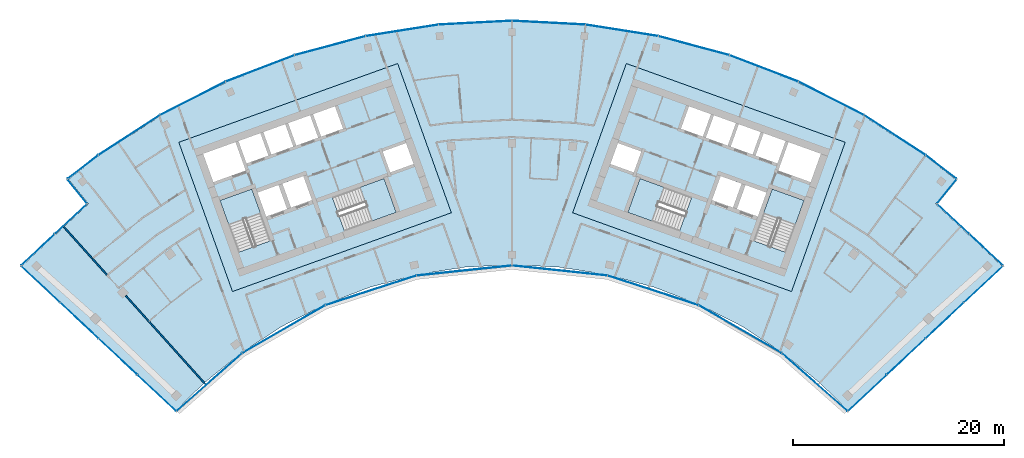
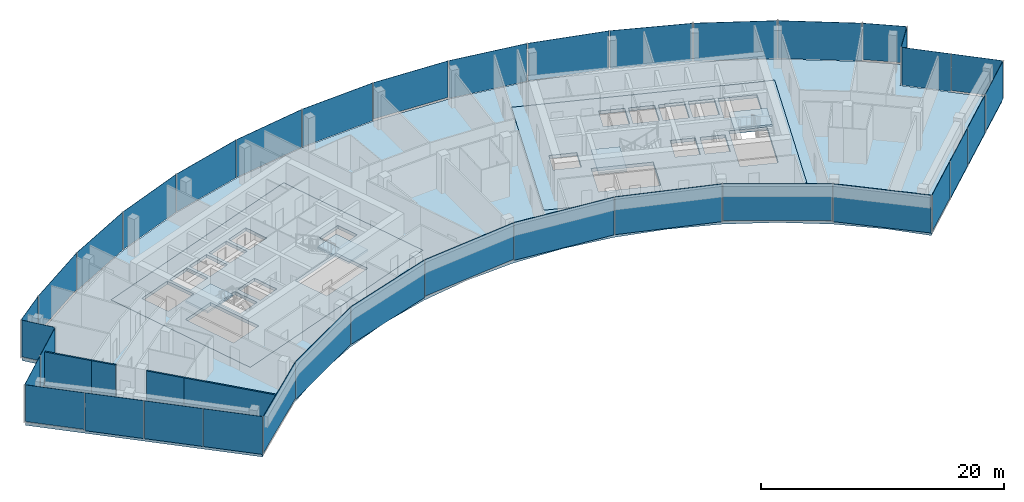
# One storey, part 11 of 18: 36 plates, 7 slabs, 4 walls, 12 elements without a shape of their own.
"""IFC4 building model written with IfcOpenShell, lengths in metres."""

from ifc_helpers import new_model, si_unit, direction, frame, frame_2d, origin, origin_2d, place, context, subcontext, project, spatial, polyline, rectangle, outline, extrude, material, layer, layer_set, type_object, element, aggregate, save


model = new_model("IFC4")

# Units and contexts
model_context = context("Model", 3, precision=1e-05, world=origin(), true_north=direction((0.0, 1.0)))
body_context = subcontext(model_context, "Body", "Model", "MODEL_VIEW")
ifc_project = project(units=[si_unit("LENGTHUNIT", "METRE"), si_unit("AREAUNIT", "SQUARE_METRE"), si_unit("VOLUMEUNIT", "CUBIC_METRE"), si_unit("PLANEANGLEUNIT", "RADIAN"), si_unit("MASSUNIT", "GRAM", prefix="KILO")], contexts=[model_context])

# Site, building, storey
site_placement = place(None, origin())
site = spatial("IfcSite", under=ifc_project, at=site_placement, CompositionType="ELEMENT")
building_placement = place(site_placement, origin())
building = spatial("IfcBuilding", under=site, at=building_placement, Name="Stone Belt Terrace Tower", CompositionType="ELEMENT")
storey_placement = place(building_placement, frame((0.0, 0.0, 296.0)))
storey = spatial("IfcBuildingStorey", under=building, at=storey_placement, Name="L72", CompositionType="ELEMENT", Elevation=296.0)

# Curtain wall, plates
ifc_material_1 = material(Name="Aluminium 6063-T6 anodised frame", Category="aluminium")
ifc_layer_1 = layer(ifc_material_1, 0.14990234375)
ifc_layer_set_1 = layer_set([ifc_layer_1], Name="CW-A unitised convex-face curtain wall")
curtain_wall_type_1 = type_object("IfcCurtainWallType", Name="CW-A unitised convex-face curtain wall", PredefinedType="NOTDEFINED", material=ifc_layer_set_1)
curtain_wall_1_placement = place(storey_placement, origin())
curtain_wall_1 = element("IfcCurtainWall", 1, at=curtain_wall_1_placement, inside=storey, type_object=curtain_wall_type_1, Name="CW-A convex face L72", PredefinedType="NOTDEFINED")
ifc_material_2 = material(Name="Clear double glazed unit")
ifc_layer_2 = layer(ifc_material_2, 0.031982421875)
ifc_layer_set_2 = layer_set([ifc_layer_2], Name="CW-A glass panel 32")
plate_type_1 = type_object("IfcPlateType", Name="CW-A glass panel 32", PredefinedType="CURTAIN_PANEL", material=ifc_layer_set_2)
plate_1_placement = place(storey_placement, frame((40.583251953125, 52.744140625, 0.14013671875), z_axis=(0.0, 0.0, 1.0), x_axis=(-0.792693871824, 0.60961990254, 0.0)))
plate_1 = element("IfcPlate", 2, at=plate_1_placement, type_object=plate_type_1, Name="CW-A panel 1.1", PredefinedType="CURTAIN_PANEL", context=body_context, shape_type="SweptSolid", body=[
    extrude(rectangle(XDim=3.597900390625, YDim=0.031982421875, at=origin_2d()), origin(), (0.0, 0.0, 1.0), 3.659912109375),
])
plate_2_placement = place(storey_placement, frame((36.209716796875, 55.758056640625, 0.0), z_axis=(0.0, 0.0, 1.0), x_axis=(-0.838670567945, 0.544639035015, 0.0)))
plate_2 = element("IfcPlate", 3, at=plate_2_placement, type_object=plate_type_1, Name="CW-A panel 2.1", PredefinedType="CURTAIN_PANEL", context=body_context, shape_type="SweptSolid", body=[
    extrude(rectangle(XDim=6.900634765625, YDim=0.031982421875, at=origin_2d()), origin(), (0.0, 0.0, 1.0), 3.800048828125),
])
plate_3_placement = place(storey_placement, frame((30.18310546875, 59.237548828125, 0.0), z_axis=(0.0, 0.0, 1.0), x_axis=(-0.891006524188, 0.45399049974, 0.0)))
plate_3 = element("IfcPlate", 4, at=plate_3_placement, type_object=plate_type_1, Name="CW-A panel 3.1", PredefinedType="CURTAIN_PANEL", context=body_context, shape_type="SweptSolid", body=[
    extrude(rectangle(XDim=6.90087890625, YDim=0.031982421875, at=origin_2d()), origin(), (0.0, 0.0, 1.0), 3.800048828125),
])
plate_4_placement = place(storey_placement, frame((23.82568359375, 62.068115234375, 0.0), z_axis=(0.0, 0.0, 1.0), x_axis=(-0.933580426497, 0.358367949545, 0.0)))
plate_4 = element("IfcPlate", 5, at=plate_4_placement, type_object=plate_type_1, Name="CW-A panel 4.1", PredefinedType="CURTAIN_PANEL", context=body_context, shape_type="SweptSolid", body=[
    extrude(rectangle(XDim=6.90087890625, YDim=0.031982421875, at=origin_2d()), origin(), (0.0, 0.0, 1.0), 3.800048828125),
])
plate_5_placement = place(storey_placement, frame((17.207275390625, 64.218505859375, 0.0), z_axis=(0.0, 0.0, 1.0), x_axis=(-0.965925826289, 0.258819045103, 0.0)))
plate_5 = element("IfcPlate", 6, at=plate_5_placement, type_object=plate_type_1, Name="CW-A panel 5.1", PredefinedType="CURTAIN_PANEL", context=body_context, shape_type="SweptSolid", body=[
    extrude(rectangle(XDim=6.90087890625, YDim=0.031982421875, at=origin_2d()), origin(), (0.0, 0.0, 1.0), 3.800048828125),
])
plate_6_placement = place(storey_placement, frame((10.400390625, 65.665283203125, 0.0), z_axis=(0.0, 0.0, 1.0), x_axis=(-0.987688340595, 0.15643446504, 0.0)))
plate_6 = element("IfcPlate", 7, at=plate_6_placement, type_object=plate_type_1, Name="CW-A panel 6.1", PredefinedType="CURTAIN_PANEL", context=body_context, shape_type="SweptSolid", body=[
    extrude(rectangle(XDim=6.90087890625, YDim=0.031982421875, at=origin_2d()), origin(), (0.0, 0.0, 1.0), 3.800048828125),
])
plate_7_placement = place(storey_placement, frame((3.4794921875, 66.392822265625, 0.14013671875), z_axis=(0.0, 0.0, 1.0), x_axis=(-0.998629534755, 0.052335956243, 0.0)))
plate_7 = element("IfcPlate", 8, at=plate_7_placement, type_object=plate_type_1, Name="CW-A panel 7.1", PredefinedType="CURTAIN_PANEL", context=body_context, shape_type="SweptSolid", body=[
    extrude(rectangle(XDim=6.90087890625, YDim=0.031982421875, at=origin_2d()), origin(), (0.0, 0.0, 1.0), 3.659912109375),
])
plate_8_placement = place(storey_placement, frame((-3.4794921875, 66.392822265625, 0.0), z_axis=(0.0, 0.0, 1.0), x_axis=(-0.998629534755, -0.052335956243, 0.0)))
plate_8 = element("IfcPlate", 9, at=plate_8_placement, type_object=plate_type_1, Name="CW-A panel 8.1", PredefinedType="CURTAIN_PANEL", context=body_context, shape_type="SweptSolid", body=[
    extrude(rectangle(XDim=6.90087890625, YDim=0.031982421875, at=origin_2d()), origin(), (0.0, 0.0, 1.0), 3.800048828125),
])
plate_9_placement = place(storey_placement, frame((-10.400390625, 65.665283203125, 0.0), z_axis=(0.0, 0.0, 1.0), x_axis=(-0.987688340595, -0.15643446504, 0.0)))
plate_9 = element("IfcPlate", 10, at=plate_9_placement, type_object=plate_type_1, Name="CW-A panel 9.1", PredefinedType="CURTAIN_PANEL", context=body_context, shape_type="SweptSolid", body=[
    extrude(rectangle(XDim=6.90087890625, YDim=0.031982421875, at=origin_2d()), origin(), (0.0, 0.0, 1.0), 3.800048828125),
])
plate_10_placement = place(storey_placement, frame((-17.207275390625, 64.218505859375, 0.0), z_axis=(0.0, 0.0, 1.0), x_axis=(-0.965925826289, -0.258819045103, 0.0)))
plate_10 = element("IfcPlate", 11, at=plate_10_placement, type_object=plate_type_1, Name="CW-A panel 10.1", PredefinedType="CURTAIN_PANEL", context=body_context, shape_type="SweptSolid", body=[
    extrude(rectangle(XDim=6.90087890625, YDim=0.031982421875, at=origin_2d()), origin(), (0.0, 0.0, 1.0), 3.800048828125),
])
plate_11_placement = place(storey_placement, frame((-23.82568359375, 62.068115234375, 0.0), z_axis=(0.0, 0.0, 1.0), x_axis=(-0.933580426497, -0.358367949545, 0.0)))
plate_11 = element("IfcPlate", 12, at=plate_11_placement, type_object=plate_type_1, Name="CW-A panel 11.1", PredefinedType="CURTAIN_PANEL", context=body_context, shape_type="SweptSolid", body=[
    extrude(rectangle(XDim=6.90087890625, YDim=0.031982421875, at=origin_2d()), origin(), (0.0, 0.0, 1.0), 3.800048828125),
])
plate_12_placement = place(storey_placement, frame((-30.18310546875, 59.237548828125, 0.0), z_axis=(0.0, 0.0, 1.0), x_axis=(-0.891006524188, -0.45399049974, 0.0)))
plate_12 = element("IfcPlate", 13, at=plate_12_placement, type_object=plate_type_1, Name="CW-A panel 12.1", PredefinedType="CURTAIN_PANEL", context=body_context, shape_type="SweptSolid", body=[
    extrude(rectangle(XDim=6.90087890625, YDim=0.031982421875, at=origin_2d()), origin(), (0.0, 0.0, 1.0), 3.800048828125),
])
plate_13_placement = place(storey_placement, frame((-36.209716796875, 55.758056640625, 0.14013671875), z_axis=(0.0, 0.0, 1.0), x_axis=(-0.838670567945, -0.544639035015, 0.0)))
plate_13 = element("IfcPlate", 14, at=plate_13_placement, type_object=plate_type_1, Name="CW-A panel 13.1", PredefinedType="CURTAIN_PANEL", context=body_context, shape_type="SweptSolid", body=[
    extrude(rectangle(XDim=6.900634765625, YDim=0.031982421875, at=origin_2d()), origin(), (0.0, 0.0, 1.0), 3.659912109375),
])
plate_14_placement = place(storey_placement, frame((-40.583251953125, 52.744140625, 0.0), z_axis=(0.0, 0.0, 1.0), x_axis=(-0.792693871824, -0.60961990254, 0.0)))
plate_14 = element("IfcPlate", 15, at=plate_14_placement, type_object=plate_type_1, Name="CW-A panel 14.1", PredefinedType="CURTAIN_PANEL", context=body_context, shape_type="SweptSolid", body=[
    extrude(rectangle(XDim=3.597900390625, YDim=0.031982421875, at=origin_2d()), origin(), (0.0, 0.0, 1.0), 3.800048828125),
])
aggregate(curtain_wall_1, [plate_1, plate_2, plate_3, plate_4, plate_5, plate_6, plate_7, plate_8, plate_9, plate_10, plate_11, plate_12, plate_13, plate_14])

ifc_layer_3 = layer(ifc_material_1, 0.14990234375)
ifc_layer_set_3 = layer_set([ifc_layer_3], Name="CW-B unitised concave-face curtain wall")
curtain_wall_type_2 = type_object("IfcCurtainWallType", Name="CW-B unitised concave-face curtain wall", PredefinedType="NOTDEFINED", material=ifc_layer_set_3)
curtain_wall_2_placement = place(storey_placement, origin())
curtain_wall_2 = element("IfcCurtainWall", 16, at=curtain_wall_2_placement, inside=storey, type_object=curtain_wall_type_2, Name="CW-B concave face L72", PredefinedType="NOTDEFINED")
ifc_layer_4 = layer(ifc_material_2, 0.030029296875)
ifc_layer_set_4 = layer_set([ifc_layer_4], Name="CW-B glass panel 30")
plate_type_2 = type_object("IfcPlateType", Name="CW-B glass panel 30", PredefinedType="CURTAIN_PANEL", material=ifc_layer_set_4)
plate_15_placement = place(storey_placement, frame((-28.624755859375, 32.39404296875, 0.1201171875), z_axis=(0.0, 0.0, 1.0), x_axis=(0.749658646805, 0.661824684694, 0.0)))
plate_15 = element("IfcPlate", 17, at=plate_15_placement, type_object=plate_type_2, Name="CW-B panel 1.1", PredefinedType="CURTAIN_PANEL", context=body_context, shape_type="SweptSolid", body=[
    extrude(rectangle(XDim=8.2060546875, YDim=0.030029296875, at=origin_2d()), origin(), (0.0, 0.0, 1.0), 3.679931640625),
])
plate_16_placement = place(storey_placement, frame((-21.59375, 37.400634765625, 0.0), z_axis=(0.0, 0.0, 1.0), x_axis=(0.866025403784, 0.5, 0.0)))
plate_16 = element("IfcPlate", 18, at=plate_16_placement, type_object=plate_type_2, Name="CW-B panel 2.1", PredefinedType="CURTAIN_PANEL", context=body_context, shape_type="SweptSolid", body=[
    extrude(rectangle(XDim=9.013427734375, YDim=0.030029296875, at=origin_2d()), origin(), (0.0, 0.0, 1.0), 3.800048828125),
])
plate_17_placement = place(storey_placement, frame((-13.345458984375, 41.072998046875, 0.0), z_axis=(0.0, 0.0, 1.0), x_axis=(0.951056516295, 0.309016994375, 0.0)))
plate_17 = element("IfcPlate", 19, at=plate_17_placement, type_object=plate_type_2, Name="CW-B panel 3.1", PredefinedType="CURTAIN_PANEL", context=body_context, shape_type="SweptSolid", body=[
    extrude(rectangle(XDim=9.0126953125, YDim=0.030029296875, at=origin_2d()), origin(), (0.0, 0.0, 1.0), 3.800048828125),
])
plate_18_placement = place(storey_placement, frame((-4.51416015625, 42.9501953125, 0.1201171875), z_axis=(0.0, 0.0, 1.0), x_axis=(0.994521895368, 0.104528463268, 0.0)))
plate_18 = element("IfcPlate", 20, at=plate_18_placement, type_object=plate_type_2, Name="CW-B panel 4.1", PredefinedType="CURTAIN_PANEL", context=body_context, shape_type="SweptSolid", body=[
    extrude(rectangle(XDim=9.0126953125, YDim=0.030029296875, at=origin_2d()), origin(), (0.0, 0.0, 1.0), 3.679931640625),
])
plate_19_placement = place(storey_placement, frame((4.51416015625, 42.9501953125, 0.0), z_axis=(0.0, 0.0, 1.0), x_axis=(0.994521895368, -0.104528463268, 0.0)))
plate_19 = element("IfcPlate", 21, at=plate_19_placement, type_object=plate_type_2, Name="CW-B panel 5.1", PredefinedType="CURTAIN_PANEL", context=body_context, shape_type="SweptSolid", body=[
    extrude(rectangle(XDim=9.0126953125, YDim=0.030029296875, at=origin_2d()), origin(), (0.0, 0.0, 1.0), 3.800048828125),
])
plate_20_placement = place(storey_placement, frame((13.345458984375, 41.072998046875, 0.0), z_axis=(0.0, 0.0, 1.0), x_axis=(0.951056516295, -0.309016994375, 0.0)))
plate_20 = element("IfcPlate", 22, at=plate_20_placement, type_object=plate_type_2, Name="CW-B panel 6.1", PredefinedType="CURTAIN_PANEL", context=body_context, shape_type="SweptSolid", body=[
    extrude(rectangle(XDim=9.0126953125, YDim=0.030029296875, at=origin_2d()), origin(), (0.0, 0.0, 1.0), 3.800048828125),
])
plate_21_placement = place(storey_placement, frame((21.59375, 37.400634765625, 0.1201171875), z_axis=(0.0, 0.0, 1.0), x_axis=(0.866025403784, -0.5, 0.0)))
plate_21 = element("IfcPlate", 23, at=plate_21_placement, type_object=plate_type_2, Name="CW-B panel 7.1", PredefinedType="CURTAIN_PANEL", context=body_context, shape_type="SweptSolid", body=[
    extrude(rectangle(XDim=9.013427734375, YDim=0.030029296875, at=origin_2d()), origin(), (0.0, 0.0, 1.0), 3.679931640625),
])
plate_22_placement = place(storey_placement, frame((28.624755859375, 32.39404296875, 0.0), z_axis=(0.0, 0.0, 1.0), x_axis=(0.749658646805, -0.661824684694, 0.0)))
plate_22 = element("IfcPlate", 24, at=plate_22_placement, type_object=plate_type_2, Name="CW-B panel 8.1", PredefinedType="CURTAIN_PANEL", context=body_context, shape_type="SweptSolid", body=[
    extrude(rectangle(XDim=8.2060546875, YDim=0.030029296875, at=origin_2d()), origin(), (0.0, 0.0, 1.0), 3.800048828125),
])
aggregate(curtain_wall_2, [plate_15, plate_16, plate_17, plate_18, plate_19, plate_20, plate_21, plate_22])

ifc_layer_5 = layer(ifc_material_1, 0.14990234375)
ifc_layer_set_5 = layer_set([ifc_layer_5], Name="CW-C stick curtain wall, horn ends and notches")
curtain_wall_type_3 = type_object("IfcCurtainWallType", Name="CW-C stick curtain wall, horn ends and notches", PredefinedType="NOTDEFINED", material=ifc_layer_set_5)
curtain_wall_3_placement = place(storey_placement, origin())
curtain_wall_3 = element("IfcCurtainWall", 25, at=curtain_wall_3_placement, inside=storey, type_object=curtain_wall_type_3, Name="CW-C end face L72", PredefinedType="NOTDEFINED")
ifc_layer_6 = layer(ifc_material_2, 0.028076171875)
ifc_layer_set_6 = layer_set([ifc_layer_6], Name="CW-C glass panel 28")
plate_type_3 = type_object("IfcPlateType", Name="CW-C glass panel 28", PredefinedType="CURTAIN_PANEL", material=ifc_layer_set_6)
plate_23_placement = place(storey_placement, frame((33.617431640625, 31.3798828125, 0.1201171875), z_axis=(0.0, 0.0, 1.0), x_axis=(0.729904219708, 0.683549434973, 0.0)))
plate_23 = element("IfcPlate", 26, at=plate_23_placement, type_object=plate_type_3, Name="CW-C panel 1.1", PredefinedType="CURTAIN_PANEL", context=body_context, shape_type="SweptSolid", body=[
    extrude(rectangle(XDim=4.965576171875, YDim=0.028076171875, at=origin_2d()), origin(), (0.0, 0.0, 1.0), 3.679931640625),
])
plate_24_placement = place(storey_placement, frame((37.2763671875, 34.806396484375, 0.0), z_axis=(0.0, 0.0, 1.0), x_axis=(0.729904219708, 0.683549434973, 0.0)))
plate_24 = element("IfcPlate", 27, at=plate_24_placement, type_object=plate_type_3, Name="CW-C panel 2.1", PredefinedType="CURTAIN_PANEL", context=body_context, shape_type="SweptSolid", body=[
    extrude(rectangle(XDim=4.93994140625, YDim=0.028076171875, at=origin_2d()), origin(), (0.0, 0.0, 1.0), 3.800048828125),
])
plate_25_placement = place(storey_placement, frame((40.92578125, 38.22412109375, 0.0), z_axis=(0.0, 0.0, 1.0), x_axis=(0.729904219708, 0.683549434973, 0.0)))
plate_25 = element("IfcPlate", 28, at=plate_25_placement, type_object=plate_type_3, Name="CW-C panel 3.1", PredefinedType="CURTAIN_PANEL", context=body_context, shape_type="SweptSolid", body=[
    extrude(rectangle(XDim=4.93994140625, YDim=0.028076171875, at=origin_2d()), origin(), (0.0, 0.0, 1.0), 3.800048828125),
])
plate_26_placement = place(storey_placement, frame((44.588134765625, 41.65380859375, 0.0), z_axis=(0.0, 0.0, 1.0), x_axis=(0.729904219708, 0.683549434973, 0.0)))
plate_26 = element("IfcPlate", 29, at=plate_26_placement, type_object=plate_type_3, Name="CW-C panel 4.1", PredefinedType="CURTAIN_PANEL", context=body_context, shape_type="SweptSolid", body=[
    extrude(rectangle(XDim=4.974853515625, YDim=0.028076171875, at=origin_2d()), origin(), (0.0, 0.0, 1.0), 3.800048828125),
])
aggregate(curtain_wall_3, [plate_23, plate_24, plate_25, plate_26])

curtain_wall_4_placement = place(storey_placement, origin())
curtain_wall_4 = element("IfcCurtainWall", 30, at=curtain_wall_4_placement, inside=storey, type_object=curtain_wall_type_3, Name="CW-C notch face L72", PredefinedType="NOTDEFINED")
plate_27_placement = place(storey_placement, frame((44.8427734375, 44.91259765625, 0.1201171875), z_axis=(0.0, 0.0, 1.0), x_axis=(-0.731339333871, 0.682013767261, 0.0)))
plate_27 = element("IfcPlate", 31, at=plate_27_placement, type_object=plate_type_3, Name="CW-C panel 1.1", PredefinedType="CURTAIN_PANEL", context=body_context, shape_type="SweptSolid", body=[
    extrude(rectangle(XDim=4.268798828125, YDim=0.028076171875, at=origin_2d()), origin(), (0.0, 0.0, 1.0), 3.679931640625),
])
plate_28_placement = place(storey_placement, frame((41.731201171875, 47.814208984375, 0.0), z_axis=(0.0, 0.0, 1.0), x_axis=(-0.731339333871, 0.682013767261, 0.0)))
plate_28 = element("IfcPlate", 32, at=plate_28_placement, type_object=plate_type_3, Name="CW-C panel 2.1", PredefinedType="CURTAIN_PANEL", context=body_context, shape_type="SweptSolid", body=[
    extrude(rectangle(XDim=4.12060546875, YDim=0.028076171875, at=origin_2d()), origin(), (0.0, 0.0, 1.0), 3.800048828125),
])
aggregate(curtain_wall_4, [plate_27, plate_28])

# Curtain wall, plate
curtain_wall_5_placement = place(storey_placement, origin())
curtain_wall_5 = element("IfcCurtainWall", 33, at=curtain_wall_5_placement, inside=storey, type_object=curtain_wall_type_3, Name="CW-C notch face L72", PredefinedType="NOTDEFINED")
plate_29_placement = place(storey_placement, frame((41.119140625, 50.43505859375, 0.1201171875), z_axis=(0.0, 0.0, 1.0), x_axis=(0.631001485542, 0.775781622136, 0.0)))
plate_29 = element("IfcPlate", 34, at=plate_29_placement, type_object=plate_type_3, Name="CW-C panel 1.1", PredefinedType="CURTAIN_PANEL", context=body_context, shape_type="SweptSolid", body=[
    extrude(rectangle(XDim=2.859130859375, YDim=0.028076171875, at=origin_2d()), origin(), (0.0, 0.0, 1.0), 3.679931640625),
])
aggregate(curtain_wall_5, [plate_29])

curtain_wall_6_placement = place(storey_placement, origin())
curtain_wall_6 = element("IfcCurtainWall", 35, at=curtain_wall_6_placement, inside=storey, type_object=curtain_wall_type_3, Name="CW-C notch face L72", PredefinedType="NOTDEFINED")
plate_30_placement = place(storey_placement, frame((-41.119140625, 50.43505859375, 0.1201171875), z_axis=(0.0, 0.0, 1.0), x_axis=(0.631001485542, -0.775781622136, 0.0)))
plate_30 = element("IfcPlate", 36, at=plate_30_placement, type_object=plate_type_3, Name="CW-C panel 1.1", PredefinedType="CURTAIN_PANEL", context=body_context, shape_type="SweptSolid", body=[
    extrude(rectangle(XDim=2.859130859375, YDim=0.028076171875, at=origin_2d()), origin(), (0.0, 0.0, 1.0), 3.679931640625),
])
aggregate(curtain_wall_6, [plate_30])

# Curtain wall, plates
curtain_wall_7_placement = place(storey_placement, origin())
curtain_wall_7 = element("IfcCurtainWall", 37, at=curtain_wall_7_placement, inside=storey, type_object=curtain_wall_type_3, Name="CW-C notch face L72", PredefinedType="NOTDEFINED")
plate_31_placement = place(storey_placement, frame((-41.731201171875, 47.814208984375, 0.1201171875), z_axis=(0.0, 0.0, 1.0), x_axis=(-0.731339333871, -0.682013767261, 0.0)))
plate_31 = element("IfcPlate", 38, at=plate_31_placement, type_object=plate_type_3, Name="CW-C panel 1.1", PredefinedType="CURTAIN_PANEL", context=body_context, shape_type="SweptSolid", body=[
    extrude(rectangle(XDim=4.12060546875, YDim=0.028076171875, at=origin_2d()), origin(), (0.0, 0.0, 1.0), 3.679931640625),
])
plate_32_placement = place(storey_placement, frame((-44.8427734375, 44.91259765625, 0.0), z_axis=(0.0, 0.0, 1.0), x_axis=(-0.731339333871, -0.682013767261, 0.0)))
plate_32 = element("IfcPlate", 39, at=plate_32_placement, type_object=plate_type_3, Name="CW-C panel 2.1", PredefinedType="CURTAIN_PANEL", context=body_context, shape_type="SweptSolid", body=[
    extrude(rectangle(XDim=4.268798828125, YDim=0.028076171875, at=origin_2d()), origin(), (0.0, 0.0, 1.0), 3.800048828125),
])
aggregate(curtain_wall_7, [plate_31, plate_32])

curtain_wall_8_placement = place(storey_placement, origin())
curtain_wall_8 = element("IfcCurtainWall", 40, at=curtain_wall_8_placement, inside=storey, type_object=curtain_wall_type_3, Name="CW-C end face L72", PredefinedType="NOTDEFINED")
plate_33_placement = place(storey_placement, frame((-44.588134765625, 41.65380859375, 0.1201171875), z_axis=(0.0, 0.0, 1.0), x_axis=(0.729904219708, -0.683549434973, 0.0)))
plate_33 = element("IfcPlate", 41, at=plate_33_placement, type_object=plate_type_3, Name="CW-C panel 1.1", PredefinedType="CURTAIN_PANEL", context=body_context, shape_type="SweptSolid", body=[
    extrude(rectangle(XDim=4.974853515625, YDim=0.028076171875, at=origin_2d()), origin(), (0.0, 0.0, 1.0), 3.679931640625),
])
plate_34_placement = place(storey_placement, frame((-40.92578125, 38.22412109375, 0.0), z_axis=(0.0, 0.0, 1.0), x_axis=(0.729904219708, -0.683549434973, 0.0)))
plate_34 = element("IfcPlate", 42, at=plate_34_placement, type_object=plate_type_3, Name="CW-C panel 2.1", PredefinedType="CURTAIN_PANEL", context=body_context, shape_type="SweptSolid", body=[
    extrude(rectangle(XDim=4.93994140625, YDim=0.028076171875, at=origin_2d()), origin(), (0.0, 0.0, 1.0), 3.800048828125),
])
plate_35_placement = place(storey_placement, frame((-37.2763671875, 34.806396484375, 0.0), z_axis=(0.0, 0.0, 1.0), x_axis=(0.729904219708, -0.683549434973, 0.0)))
plate_35 = element("IfcPlate", 43, at=plate_35_placement, type_object=plate_type_3, Name="CW-C panel 3.1", PredefinedType="CURTAIN_PANEL", context=body_context, shape_type="SweptSolid", body=[
    extrude(rectangle(XDim=4.93994140625, YDim=0.028076171875, at=origin_2d()), origin(), (0.0, 0.0, 1.0), 3.800048828125),
])
plate_36_placement = place(storey_placement, frame((-33.617431640625, 31.3798828125, 0.0), z_axis=(0.0, 0.0, 1.0), x_axis=(0.729904219708, -0.683549434973, 0.0)))
plate_36 = element("IfcPlate", 44, at=plate_36_placement, type_object=plate_type_3, Name="CW-C panel 4.1", PredefinedType="CURTAIN_PANEL", context=body_context, shape_type="SweptSolid", body=[
    extrude(rectangle(XDim=4.965576171875, YDim=0.028076171875, at=origin_2d()), origin(), (0.0, 0.0, 1.0), 3.800048828125),
])
aggregate(curtain_wall_8, [plate_33, plate_34, plate_35, plate_36])

# Slabs
ifc_material_3 = material(Name="Concrete B40", Category="concrete")
ifc_layer_7 = layer(ifc_material_3, 0.320068359375)
ifc_layer_set_7 = layer_set([ifc_layer_7], Name="Core floor slab 320")
slab_type_1 = type_object("IfcSlabType", Name="Core floor slab 320", PredefinedType="FLOOR", material=ifc_layer_set_7)
slab_1_placement = place(storey_placement, frame((0.0, 0.0, -0.320068359375)))
element("IfcSlab", 45, at=slab_1_placement, inside=storey, type_object=slab_type_1, Name="Core A floor L72", PredefinedType="FLOOR", context=body_context, shape_type="SweptSolid", body=[
    extrude(outline(polyline([(-26.43505859375, 40.968994140625), (-5.735107421875, 48.4189453125), (-10.81396484375, 62.531982421875), (-31.513916015625, 55.0830078125), (-26.43505859375, 40.968994140625)]), holes=[polyline([(-24.60791015625, 50.659912109375), (-22.847900390625, 45.76806640625), (-25.85888671875, 44.68408203125), (-27.618896484375, 49.575927734375), (-24.60791015625, 50.659912109375)]), polyline([(-10.955078125, 48.452880859375), (-15.846923828125, 46.69189453125), (-16.998046875, 49.89208984375), (-12.10595703125, 51.652099609375), (-10.955078125, 48.452880859375)]), polyline([(-22.0869140625, 51.035888671875), (-21.27392578125, 48.778076171875), (-23.25, 48.06689453125), (-24.06298828125, 50.324951171875), (-22.0869140625, 51.035888671875)]), polyline([(-18.922119140625, 49.6240234375), (-20.89794921875, 48.9130859375), (-21.7109375, 51.1708984375), (-19.735107421875, 51.883056640625), (-18.922119140625, 49.6240234375)]), polyline([(-29.2109375, 53.9990234375), (-26.153076171875, 55.09912109375), (-25.18798828125, 52.41796875), (-28.24609375, 51.31689453125), (-29.2109375, 53.9990234375)]), polyline([(-10.01904296875, 55.007080078125), (-9.30810546875, 53.031005859375), (-11.51904296875, 52.235107421875), (-12.22998046875, 54.2109375), (-10.01904296875, 55.007080078125)]), polyline([(-25.87109375, 55.200927734375), (-23.801025390625, 55.946044921875), (-23.0390625, 53.8291015625), (-25.10888671875, 53.083984375), (-25.87109375, 55.200927734375)]), polyline([(-23.51806640625, 56.047119140625), (-21.447998046875, 56.7919921875), (-20.68603515625, 54.675048828125), (-22.756103515625, 53.929931640625), (-23.51806640625, 56.047119140625)]), polyline([(-19.095947265625, 57.638916015625), (-18.333984375, 55.52197265625), (-20.404052734375, 54.777099609375), (-21.166015625, 56.89404296875), (-19.095947265625, 57.638916015625)]), polyline([(-16.743896484375, 58.485107421875), (-15.98193359375, 56.367919921875), (-18.052001953125, 55.623046875), (-18.81396484375, 57.739990234375), (-16.743896484375, 58.485107421875)])]), origin(), (0.0, 0.0, 1.0), 0.320068359375),
])
slab_2_placement = place(storey_placement, frame((0.0, 0.0, -0.320068359375)))
element("IfcSlab", 46, at=slab_2_placement, inside=storey, type_object=slab_type_1, Name="Core B floor L72", PredefinedType="FLOOR", context=body_context, shape_type="SweptSolid", body=[
    extrude(outline(polyline([(26.43505859375, 40.968994140625), (31.513916015625, 55.0830078125), (10.81396484375, 62.531982421875), (5.735107421875, 48.4189453125), (26.43505859375, 40.968994140625)]), holes=[polyline([(27.618896484375, 49.575927734375), (25.85888671875, 44.68408203125), (22.847900390625, 45.76806640625), (24.60791015625, 50.659912109375), (27.618896484375, 49.575927734375)]), polyline([(12.10595703125, 51.652099609375), (16.998046875, 49.89208984375), (15.846923828125, 46.69189453125), (10.955078125, 48.452880859375), (12.10595703125, 51.652099609375)]), polyline([(23.25, 48.06689453125), (21.27392578125, 48.778076171875), (22.0869140625, 51.035888671875), (24.06298828125, 50.324951171875), (23.25, 48.06689453125)]), polyline([(18.922119140625, 49.6240234375), (19.735107421875, 51.883056640625), (21.7109375, 51.1708984375), (20.89794921875, 48.9130859375), (18.922119140625, 49.6240234375)]), polyline([(29.2109375, 53.9990234375), (28.24609375, 51.31689453125), (25.18798828125, 52.41796875), (26.153076171875, 55.09912109375), (29.2109375, 53.9990234375)]), polyline([(11.51904296875, 52.235107421875), (9.30810546875, 53.031005859375), (10.01904296875, 55.007080078125), (12.22998046875, 54.2109375), (11.51904296875, 52.235107421875)]), polyline([(23.0390625, 53.8291015625), (23.801025390625, 55.946044921875), (25.87109375, 55.200927734375), (25.10888671875, 53.083984375), (23.0390625, 53.8291015625)]), polyline([(20.68603515625, 54.675048828125), (21.447998046875, 56.7919921875), (23.51806640625, 56.047119140625), (22.756103515625, 53.929931640625), (20.68603515625, 54.675048828125)]), polyline([(19.095947265625, 57.638916015625), (21.166015625, 56.89404296875), (20.404052734375, 54.777099609375), (18.333984375, 55.52197265625), (19.095947265625, 57.638916015625)]), polyline([(16.743896484375, 58.485107421875), (18.81396484375, 57.739990234375), (18.052001953125, 55.623046875), (15.98193359375, 56.367919921875), (16.743896484375, 58.485107421875)])]), origin(), (0.0, 0.0, 1.0), 0.320068359375),
])
ifc_layer_8 = layer(ifc_material_3, 0.320068359375)
ifc_layer_set_8 = layer_set([ifc_layer_8], Name="Floor slab 320 B40")
slab_type_2 = type_object("IfcSlabType", Name="Floor slab 320 B40", PredefinedType="FLOOR", material=ifc_layer_set_8)
slab_3_placement = place(storey_placement, frame((0.0, 0.0, -0.320068359375)))
element("IfcSlab", 47, at=slab_3_placement, inside=storey, type_object=slab_type_2, Name="Floor slab L72", PredefinedType="FLOOR", context=body_context, shape_type="SweptSolid", body=[
    extrude(outline(polyline([(-40.068603515625, 49.26220703125), (-41.961669921875, 51.589599609375), (-39.087646484375, 53.799560546875), (-33.25, 57.5908203125), (-27.048095703125, 60.750732421875), (-20.549560546875, 63.245361328125), (-13.826171875, 65.046875), (-6.951171875, 66.1357421875), (0.0, 66.5), (6.951171875, 66.1357421875), (13.826171875, 65.046875), (20.549560546875, 63.245361328125), (27.048095703125, 60.750732421875), (33.25, 57.5908203125), (39.087646484375, 53.799560546875), (41.961669921875, 51.589599609375), (40.068603515625, 49.26220703125), (46.348876953125, 43.405517578125), (31.750732421875, 29.734375), (29.107177734375, 32.326904296875), (25.568603515625, 35.192138671875), (21.75, 37.672119140625), (17.693115234375, 39.7392578125), (13.442138671875, 41.37109375), (9.044189453125, 42.54931640625), (4.547119140625, 43.26171875), (0.0, 43.5), (-4.547119140625, 43.26171875), (-9.044189453125, 42.54931640625), (-13.442138671875, 41.37109375), (-17.693115234375, 39.7392578125), (-21.75, 37.672119140625), (-25.568603515625, 35.192138671875), (-29.107177734375, 32.326904296875), (-31.750732421875, 29.734375), (-46.348876953125, 43.405517578125), (-40.068603515625, 49.26220703125)]), holes=[polyline([(-10.81396484375, 62.532470703125), (-31.51416015625, 55.082763671875), (-26.434814453125, 40.968994140625), (-5.734619140625, 48.418701171875), (-10.81396484375, 62.532470703125)]), polyline([(26.434814453125, 40.968994140625), (31.51416015625, 55.082763671875), (10.81396484375, 62.532470703125), (5.734619140625, 48.418701171875), (26.434814453125, 40.968994140625)])]), origin(), (0.0, 0.0, 1.0), 0.320068359375),
])

# Stair, slab
stair_type = type_object("IfcStairType", Name="Exit stair 1500", PredefinedType="HALF_TURN_STAIR", material=ifc_material_3)
stair_1_placement = place(storey_placement, origin())
stair_1 = element("IfcStair", 48, at=stair_1_placement, inside=storey, type_object=stair_type, Name="L72 Exit stair 1 core A", PredefinedType="HALF_TURN_STAIR")
ifc_layer_9 = layer(ifc_material_3, 0.199951171875)
ifc_layer_set_9 = layer_set([ifc_layer_9], Name="Stair landing 200")
slab_type_3 = type_object("IfcSlabType", Name="Stair landing 200", PredefinedType="LANDING", material=ifc_layer_set_9)
slab_4_placement = place(storey_placement, frame((0.0, 0.0, 1.699951171875)))
slab_4 = element("IfcSlab", 49, at=slab_4_placement, type_object=slab_type_3, Name="ST1A landing 1", PredefinedType="LANDING", context=body_context, shape_type="SweptSolid", body=[
    extrude(outline(polyline([(-23.79541015625, 48.40087890625), (-24.6083984375, 50.659912109375), (-27.619384765625, 49.576171875), (-26.806396484375, 47.3173828125), (-23.79541015625, 48.40087890625)])), origin(), (0.0, 0.0, 1.0), 0.199951171875),
])
aggregate(stair_1, [slab_4])

stair_2_placement = place(storey_placement, origin())
stair_2 = element("IfcStair", 50, at=stair_2_placement, inside=storey, type_object=stair_type, Name="L72 Exit stair 2 core A", PredefinedType="HALF_TURN_STAIR")
slab_5_placement = place(storey_placement, frame((0.0, 0.0, 1.699951171875)))
slab_5 = element("IfcSlab", 51, at=slab_5_placement, type_object=slab_type_3, Name="ST2A landing 1", PredefinedType="LANDING", context=body_context, shape_type="SweptSolid", body=[
    extrude(outline(polyline([(-13.213623046875, 47.64013671875), (-10.95458984375, 48.453125), (-12.10595703125, 51.652099609375), (-14.36474609375, 50.839111328125), (-13.213623046875, 47.64013671875)])), origin(), (0.0, 0.0, 1.0), 0.199951171875),
])
aggregate(stair_2, [slab_5])

stair_3_placement = place(storey_placement, origin())
stair_3 = element("IfcStair", 52, at=stair_3_placement, inside=storey, type_object=stair_type, Name="L72 Exit stair 1 core B", PredefinedType="HALF_TURN_STAIR")
slab_6_placement = place(storey_placement, frame((0.0, 0.0, 1.699951171875)))
slab_6 = element("IfcSlab", 53, at=slab_6_placement, type_object=slab_type_3, Name="ST1B landing 1", PredefinedType="LANDING", context=body_context, shape_type="SweptSolid", body=[
    extrude(outline(polyline([(26.806396484375, 47.3173828125), (27.619384765625, 49.576171875), (24.6083984375, 50.659912109375), (23.79541015625, 48.40087890625), (26.806396484375, 47.3173828125)])), origin(), (0.0, 0.0, 1.0), 0.199951171875),
])
aggregate(stair_3, [slab_6])

stair_4_placement = place(storey_placement, origin())
stair_4 = element("IfcStair", 54, at=stair_4_placement, inside=storey, type_object=stair_type, Name="L72 Exit stair 2 core B", PredefinedType="HALF_TURN_STAIR")
slab_7_placement = place(storey_placement, frame((0.0, 0.0, 1.699951171875)))
slab_7 = element("IfcSlab", 55, at=slab_7_placement, type_object=slab_type_3, Name="ST2B landing 1", PredefinedType="LANDING", context=body_context, shape_type="SweptSolid", body=[
    extrude(outline(polyline([(14.36474609375, 50.839111328125), (12.10595703125, 51.652099609375), (10.95458984375, 48.453125), (13.213623046875, 47.64013671875), (14.36474609375, 50.839111328125)])), origin(), (0.0, 0.0, 1.0), 0.199951171875),
])
aggregate(stair_4, [slab_7])

# Walls
ifc_material_4 = material(Name="Gypsum board partition")
ifc_layer_10 = layer(ifc_material_4, 0.14990234375)
ifc_layer_set_10 = layer_set([ifc_layer_10], Name="PARTITION 150 EI 60")
wall_type = type_object("IfcWallType", Name="PARTITION 150 EI 60", PredefinedType="PARTITIONING", material=ifc_layer_set_10)
wall_1_placement = place(storey_placement, frame((-34.35009765625, 38.14892578125, 0.0), z_axis=(0.0, 0.0, 1.0), x_axis=(0.669114241799, -0.743159559867, 0.0)))
element("IfcWall", 56, at=wall_1_placement, inside=storey, type_object=wall_type, Name="L72/wall/i043", PredefinedType="PARTITIONING", context=body_context, shape_type="SweptSolid", body=[
    extrude(rectangle(XDim=8.028564453125, YDim=0.14990234375, at=frame_2d((4.01416015625, 0.0))), origin(), (0.0, 0.0, 1.0), 3.47998046875),
])
wall_2_placement = place(storey_placement, frame((-36.514892578125, 40.552978515625, 0.0), z_axis=(0.0, 0.0, 1.0), x_axis=(0.668981350293, -0.743279189107, 0.0)))
element("IfcWall", 57, at=wall_2_placement, inside=storey, type_object=wall_type, Name="L72/wall/i044", PredefinedType="PARTITIONING", context=body_context, shape_type="SweptSolid", body=[
    extrude(rectangle(XDim=3.24658203125, YDim=0.14990234375, at=frame_2d((1.623291015625, 0.0))), origin(), (0.0, 0.0, 1.0), 3.47998046875),
])
wall_3_placement = place(storey_placement, frame((-39.697998046875, 44.089111328125, 0.0), z_axis=(0.0, 0.0, 1.0), x_axis=(0.668856019275, -0.743391972972, 0.0)))
element("IfcWall", 58, at=wall_3_placement, inside=storey, type_object=wall_type, Name="L72/wall/i045", PredefinedType="PARTITIONING", context=body_context, shape_type="SweptSolid", body=[
    extrude(rectangle(XDim=2.109375, YDim=0.14990234375, at=frame_2d((1.0546875, 0.0))), origin(), (0.0, 0.0, 1.0), 3.47998046875),
])
wall_4_placement = place(storey_placement, frame((-42.39892578125, 47.08837890625, 0.0), z_axis=(0.0, 0.0, 1.0), x_axis=(0.669038042055, -0.743228160314, 0.0)))
element("IfcWall", 59, at=wall_4_placement, inside=storey, type_object=wall_type, Name="L72/wall/i046", PredefinedType="PARTITIONING", context=body_context, shape_type="SweptSolid", body=[
    extrude(rectangle(XDim=4.047607421875, YDim=0.14990234375, at=frame_2d((2.02392578125, 0.0))), origin(), (0.0, 0.0, 1.0), 3.47998046875),
])

save(model, "model.ifc")
